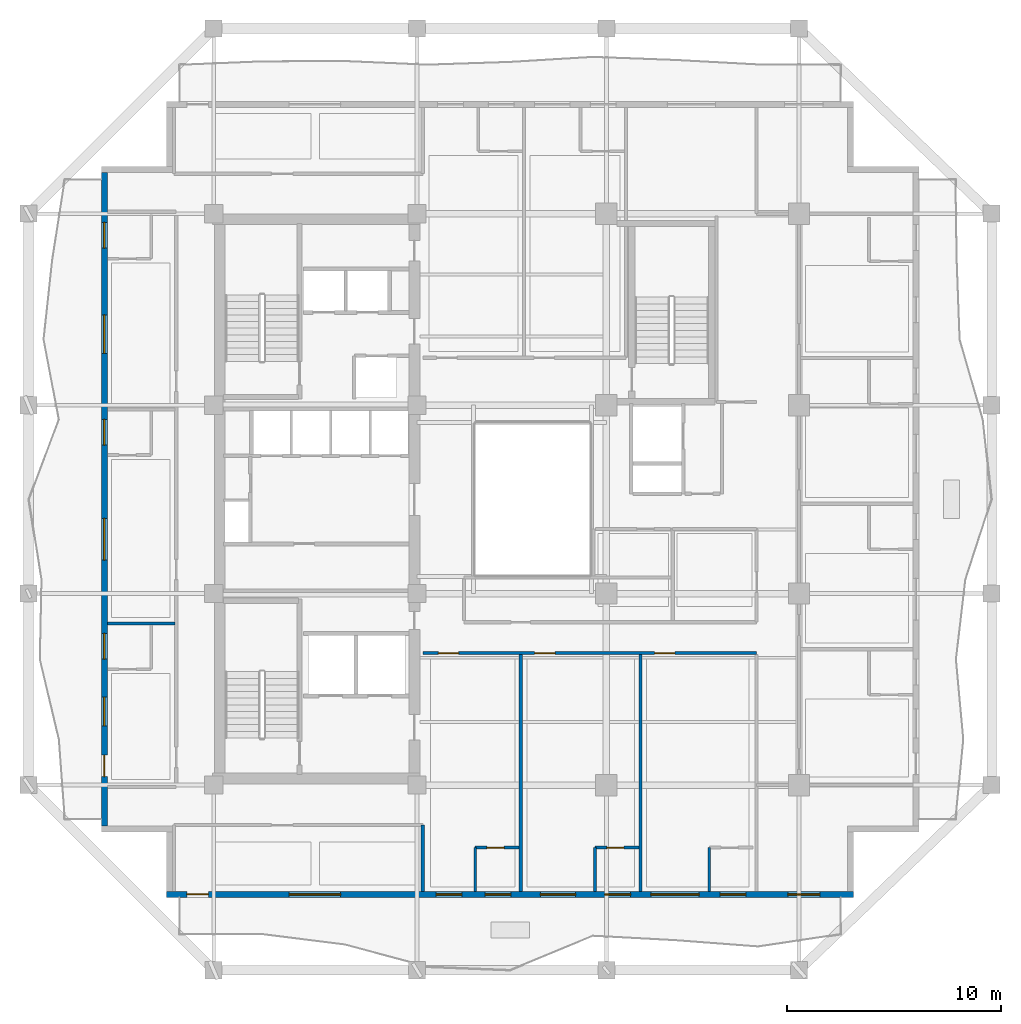
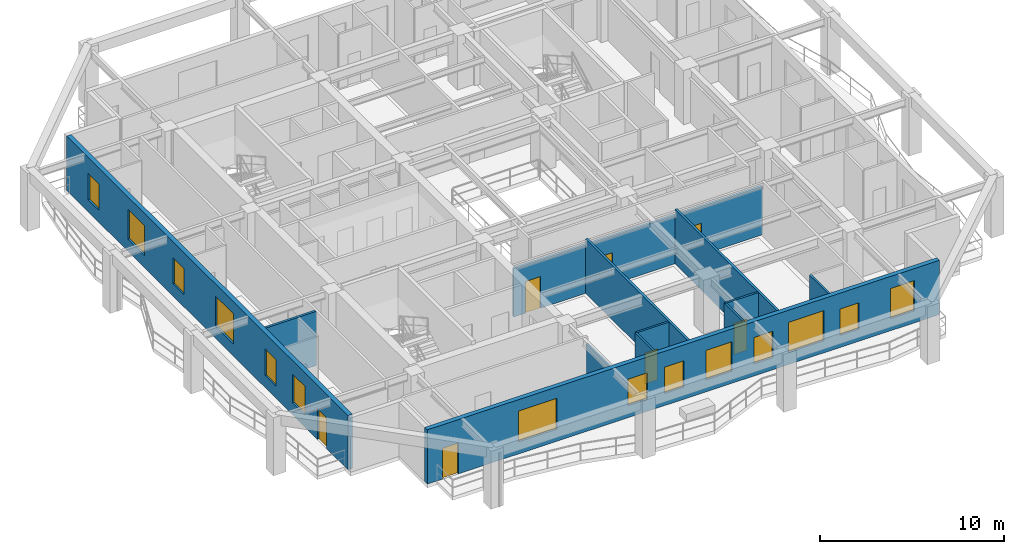
# One storey, part 3 of 11: 14 windows, 12 walls, 7 doors, 21 openings.
"""IFC4 building model written with IfcOpenShell, lengths in metres."""

from ifc_helpers import new_model, si_unit, direction, frame, frame_2d, origin, place, context, subcontext, project, spatial, rectangle, extrude, material, layer, layer_set, type_object, element, fill, save


model = new_model("IFC4")

# Units and contexts
model_context = context("Model", 3, precision=1e-05, world=origin(), true_north=direction((0.0, 1.0)))
body_context = subcontext(model_context, "Body", "Model", "MODEL_VIEW")
ifc_project = project(units=[si_unit("LENGTHUNIT", "METRE"), si_unit("AREAUNIT", "SQUARE_METRE"), si_unit("VOLUMEUNIT", "CUBIC_METRE"), si_unit("PLANEANGLEUNIT", "RADIAN"), si_unit("MASSUNIT", "GRAM", prefix="KILO")], contexts=[model_context])

# Site, building, storey
site_placement = place(None, origin())
site = spatial("IfcSite", under=ifc_project, at=site_placement, CompositionType="ELEMENT")
building_placement = place(site_placement, origin())
building = spatial("IfcBuilding", under=site, at=building_placement, Name="Kundavana Baori Tower", CompositionType="ELEMENT")
storey_placement = place(building_placement, frame((0.0, 0.0, 127.10009765625)))
storey = spatial("IfcBuildingStorey", under=building, at=storey_placement, Name="L30", CompositionType="ELEMENT", Elevation=127.10009765625)

# Wall, openings, door, windows
ifc_material_1 = material(Name="Red-Buff Dholpur Sandstone Cladding on Concrete C40/50", Category="masonry")
ifc_layer_1 = layer(ifc_material_1, 0.280029296875, Name="WL-EXT-SAND-280")
ifc_layer_set_1 = layer_set([ifc_layer_1], Name="Red-Buff Dholpur Sandstone Cladding on Concrete C40/50")
wall_type_1 = type_object("IfcWallType", Name="WL-EXT-SAND-280", PredefinedType="STANDARD", material=ifc_layer_set_1)
wall_1_placement = place(storey_placement, frame((13.25, 10.139892578125, 0.0), z_axis=(0.0, 0.0, 1.0), x_axis=(1.0, 0.0, 0.0)))
wall_1 = element("IfcWall", 1, at=wall_1_placement, inside=storey, type_object=wall_type_1, Name="L30 Exterior Insulated Facade Wall 01", PredefinedType="STANDARD", context=body_context, shape_type="SweptSolid", body=[
    extrude(rectangle(XDim=32.10009765625, YDim=0.280029296875, at=frame_2d((16.050048828125, 0.0))), origin(), (0.0, 0.0, 1.0), 3.599853515625),
])
opening_1_placement = place(wall_1_placement, frame((0.949951171875, 0.0, 0.0)))
opening_1 = element("IfcOpeningElement", 2, at=opening_1_placement, cuts=wall_1, Name="Opening BD-1", PredefinedType="OPENING", context=body_context, shape_type="SweptSolid", body=[
    extrude(rectangle(XDim=1.0, YDim=2.050048828125, at=frame_2d((0.5, 1.02490234375))), frame((0.0, 0.14990234375, 0.0), z_axis=(0.0, -1.0, 0.0), x_axis=(1.0, 0.0, 0.0)), (0.0, 0.0, 1.0), 0.300048828125),
])
opening_2_placement = place(wall_1_placement, frame((5.72998046875, 0.0, 0.800048828125)))
opening_2 = element("IfcOpeningElement", 3, at=opening_2_placement, cuts=wall_1, Name="Opening W-04", PredefinedType="OPENING", context=body_context, shape_type="SweptSolid", body=[
    extrude(rectangle(XDim=2.39990234375, YDim=2.050048828125, at=frame_2d((1.199951171875, 1.02490234375))), frame((0.0, 0.14990234375, 0.0), z_axis=(0.0, -1.0, 0.0), x_axis=(1.0, 0.0, 0.0)), (0.0, 0.0, 1.0), 0.300048828125),
])
opening_3_placement = place(wall_1_placement, frame((12.594970703125, 0.0, 0.800048828125)))
opening_3 = element("IfcOpeningElement", 4, at=opening_3_placement, cuts=wall_1, Name="Opening W-03", PredefinedType="OPENING", context=body_context, shape_type="SweptSolid", body=[
    extrude(rectangle(XDim=1.199951171875, YDim=1.75, at=frame_2d((0.60009765625, 0.875))), frame((0.0, 0.14990234375, 0.0), z_axis=(0.0, -1.0, 0.0), x_axis=(1.0, 0.0, 0.0)), (0.0, 0.0, 1.0), 0.300048828125),
])
opening_4_placement = place(wall_1_placement, frame((14.885009765625, 0.0, 0.800048828125)))
opening_4 = element("IfcOpeningElement", 5, at=opening_4_placement, cuts=wall_1, Name="Opening W-03", PredefinedType="OPENING", context=body_context, shape_type="SweptSolid", body=[
    extrude(rectangle(XDim=1.199951171875, YDim=1.75, at=frame_2d((0.60009765625, 0.875))), frame((0.0, 0.14990234375, 0.0), z_axis=(0.0, -1.0, 0.0), x_axis=(1.0, 0.0, 0.0)), (0.0, 0.0, 1.0), 0.300048828125),
])
opening_5_placement = place(wall_1_placement, frame((17.4599609375, 0.0, 0.800048828125)))
opening_5 = element("IfcOpeningElement", 6, at=opening_5_placement, cuts=wall_1, Name="Opening W-08", PredefinedType="OPENING", context=body_context, shape_type="SweptSolid", body=[
    extrude(rectangle(XDim=1.64990234375, YDim=1.949951171875, at=frame_2d((0.824951171875, 0.97509765625))), frame((0.0, 0.14990234375, 0.0), z_axis=(0.0, -1.0, 0.0), x_axis=(1.0, 0.0, 0.0)), (0.0, 0.0, 1.0), 0.300048828125),
])
opening_6_placement = place(wall_1_placement, frame((20.485107421875, 0.0, 0.800048828125)))
opening_6 = element("IfcOpeningElement", 7, at=opening_6_placement, cuts=wall_1, Name="Opening W-03", PredefinedType="OPENING", context=body_context, shape_type="SweptSolid", body=[
    extrude(rectangle(XDim=1.199951171875, YDim=1.75, at=frame_2d((0.60009765625, 0.875))), frame((0.0, 0.14990234375, 0.0), z_axis=(0.0, -1.0, 0.0), x_axis=(1.0, 0.0, 0.0)), (0.0, 0.0, 1.0), 0.300048828125),
])
opening_7_placement = place(wall_1_placement, frame((22.6298828125, 0.0, 0.800048828125)))
opening_7 = element("IfcOpeningElement", 8, at=opening_7_placement, cuts=wall_1, Name="Opening W-10", PredefinedType="OPENING", context=body_context, shape_type="SweptSolid", body=[
    extrude(rectangle(XDim=2.25, YDim=2.0, at=frame_2d((1.125, 1.0))), frame((0.0, 0.14990234375, 0.0), z_axis=(0.0, -1.0, 0.0), x_axis=(1.0, 0.0, 0.0)), (0.0, 0.0, 1.0), 0.300048828125),
])
opening_8_placement = place(wall_1_placement, frame((25.864990234375, 0.0, 0.800048828125)))
opening_8 = element("IfcOpeningElement", 9, at=opening_8_placement, cuts=wall_1, Name="Opening W-03", PredefinedType="OPENING", context=body_context, shape_type="SweptSolid", body=[
    extrude(rectangle(XDim=1.199951171875, YDim=1.75, at=frame_2d((0.60009765625, 0.875))), frame((0.0, 0.14990234375, 0.0), z_axis=(0.0, -1.0, 0.0), x_axis=(1.0, 0.0, 0.0)), (0.0, 0.0, 1.0), 0.300048828125),
])
opening_9_placement = place(wall_1_placement, frame((29.030029296875, 0.0, 0.800048828125)))
opening_9 = element("IfcOpeningElement", 10, at=opening_9_placement, cuts=wall_1, Name="Opening W-02", PredefinedType="OPENING", context=body_context, shape_type="SweptSolid", body=[
    extrude(rectangle(XDim=1.5, YDim=2.0, at=frame_2d((0.75, 1.0))), frame((0.0, 0.14990234375, 0.0), z_axis=(0.0, -1.0, 0.0), x_axis=(1.0, 0.0, 0.0)), (0.0, 0.0, 1.0), 0.300048828125),
])
ifc_material_2 = material(Name="Architectural Patinated Bronze Metalwork")
door_type_1 = type_object("IfcDoorType", Name="DR-EXT-LOG-1000", OperationType="NOTDEFINED", PredefinedType="DOOR", material=ifc_material_2)
door_1_placement = place(opening_1_placement, frame((1.0, 0.0, 0.0), z_axis=(0.0, 0.0, 1.0), x_axis=(-1.0, 0.0, 0.0)))
door_1 = element("IfcDoor", 11, at=door_1_placement, inside=storey, type_object=door_type_1, Name="L30 Loggia Balcony Access Door S", OperationType="SINGLE_SWING_LEFT", OverallHeight=2.050048828125, OverallWidth=1.0, PredefinedType="DOOR", context=body_context, shape_type="SweptSolid", body=[
    extrude(rectangle(XDim=1.0, YDim=2.050048828125, at=frame_2d((0.5, 1.02490234375))), frame((0.0, 0.02490234375, 0.0), z_axis=(0.0, -1.0, 0.0), x_axis=(1.0, 0.0, 0.0)), (0.0, 0.0, 1.0), 0.050048828125),
])
fill(opening_1, door_1)
ifc_material_3 = material(Name="Double-Glazed Solar-Control Low-E Insulated Glass", Category="glass")
window_type_1 = type_object("IfcWindowType", Name="WIN-LOG-1200x1750", PartitioningType="SINGLE_PANEL", PredefinedType="WINDOW", material=ifc_material_3)
window_1_placement = place(opening_3_placement, origin())
window_1 = element("IfcWindow", 12, at=window_1_placement, inside=storey, type_object=window_type_1, Name="L30 Recessed Loggia Window S-2", OverallHeight=1.75, OverallWidth=1.199951171875, PartitioningType="SINGLE_PANEL", PredefinedType="WINDOW", context=body_context, shape_type="SweptSolid", body=[
    extrude(rectangle(XDim=1.199951171875, YDim=1.75, at=frame_2d((0.60009765625, 0.875))), frame((0.0, 0.030029296875, 0.0), z_axis=(0.0, -1.0, 0.0), x_axis=(1.0, 0.0, 0.0)), (0.0, 0.0, 1.0), 0.06005859375),
])
fill(opening_3, window_1)
window_2_placement = place(opening_4_placement, origin())
window_2 = element("IfcWindow", 13, at=window_2_placement, inside=storey, type_object=window_type_1, Name="L30 Recessed Loggia Window S-3", OverallHeight=1.75, OverallWidth=1.199951171875, PartitioningType="SINGLE_PANEL", PredefinedType="WINDOW", context=body_context, shape_type="SweptSolid", body=[
    extrude(rectangle(XDim=1.199951171875, YDim=1.75, at=frame_2d((0.60009765625, 0.875))), frame((0.0, 0.030029296875, 0.0), z_axis=(0.0, -1.0, 0.0), x_axis=(1.0, 0.0, 0.0)), (0.0, 0.0, 1.0), 0.06005859375),
])
fill(opening_4, window_2)
window_3_placement = place(opening_6_placement, origin())
window_3 = element("IfcWindow", 14, at=window_3_placement, inside=storey, type_object=window_type_1, Name="L30 Recessed Loggia Window S-5", OverallHeight=1.75, OverallWidth=1.199951171875, PartitioningType="SINGLE_PANEL", PredefinedType="WINDOW", context=body_context, shape_type="SweptSolid", body=[
    extrude(rectangle(XDim=1.199951171875, YDim=1.75, at=frame_2d((0.60009765625, 0.875))), frame((0.0, 0.030029296875, 0.0), z_axis=(0.0, -1.0, 0.0), x_axis=(1.0, 0.0, 0.0)), (0.0, 0.0, 1.0), 0.06005859375),
])
fill(opening_6, window_3)
window_4_placement = place(opening_8_placement, origin())
window_4 = element("IfcWindow", 15, at=window_4_placement, inside=storey, type_object=window_type_1, Name="L30 Recessed Loggia Window S-7", OverallHeight=1.75, OverallWidth=1.199951171875, PartitioningType="SINGLE_PANEL", PredefinedType="WINDOW", context=body_context, shape_type="SweptSolid", body=[
    extrude(rectangle(XDim=1.199951171875, YDim=1.75, at=frame_2d((0.60009765625, 0.875))), frame((0.0, 0.030029296875, 0.0), z_axis=(0.0, -1.0, 0.0), x_axis=(1.0, 0.0, 0.0)), (0.0, 0.0, 1.0), 0.06005859375),
])
fill(opening_8, window_4)
ifc_material_4 = material(Name="Double-Glazed Solar-Control Low-E Insulated Glass", Category="glass")
window_type_2 = type_object("IfcWindowType", Name="WIN-LOG-1500x2000", PartitioningType="SINGLE_PANEL", PredefinedType="WINDOW", material=ifc_material_4)
window_5_placement = place(opening_9_placement, origin())
window_5 = element("IfcWindow", 16, at=window_5_placement, inside=storey, type_object=window_type_2, Name="L30 Recessed Loggia Window S-8", OverallHeight=2.0, OverallWidth=1.5, PartitioningType="SINGLE_PANEL", PredefinedType="WINDOW", context=body_context, shape_type="SweptSolid", body=[
    extrude(rectangle(XDim=1.5, YDim=2.0, at=frame_2d((0.75, 1.0))), frame((0.0, 0.030029296875, 0.0), z_axis=(0.0, -1.0, 0.0), x_axis=(1.0, 0.0, 0.0)), (0.0, 0.0, 1.0), 0.06005859375),
])
fill(opening_9, window_5)
ifc_material_5 = material(Name="Double-Glazed Solar-Control Low-E Insulated Glass", Category="glass")
window_type_3 = type_object("IfcWindowType", Name="WIN-LOG-1650x1950", PartitioningType="SINGLE_PANEL", PredefinedType="WINDOW", material=ifc_material_5)
window_6_placement = place(opening_5_placement, origin())
window_6 = element("IfcWindow", 17, at=window_6_placement, inside=storey, type_object=window_type_3, Name="L30 Recessed Loggia Window S-4", OverallHeight=1.949951171875, OverallWidth=1.64990234375, PartitioningType="SINGLE_PANEL", PredefinedType="WINDOW", context=body_context, shape_type="SweptSolid", body=[
    extrude(rectangle(XDim=1.64990234375, YDim=1.949951171875, at=frame_2d((0.824951171875, 0.97509765625))), frame((0.0, 0.030029296875, 0.0), z_axis=(0.0, -1.0, 0.0), x_axis=(1.0, 0.0, 0.0)), (0.0, 0.0, 1.0), 0.06005859375),
])
fill(opening_5, window_6)
ifc_material_6 = material(Name="Double-Glazed Solar-Control Low-E Insulated Glass", Category="glass")
window_type_4 = type_object("IfcWindowType", Name="WIN-LOG-2250x2000", PartitioningType="SINGLE_PANEL", PredefinedType="WINDOW", material=ifc_material_6)
window_7_placement = place(opening_7_placement, origin())
window_7 = element("IfcWindow", 18, at=window_7_placement, inside=storey, type_object=window_type_4, Name="L30 Recessed Loggia Window S-6", OverallHeight=2.0, OverallWidth=2.25, PartitioningType="SINGLE_PANEL", PredefinedType="WINDOW", context=body_context, shape_type="SweptSolid", body=[
    extrude(rectangle(XDim=2.25, YDim=2.0, at=frame_2d((1.125, 1.0))), frame((0.0, 0.030029296875, 0.0), z_axis=(0.0, -1.0, 0.0), x_axis=(1.0, 0.0, 0.0)), (0.0, 0.0, 1.0), 0.06005859375),
])
fill(opening_7, window_7)
ifc_material_7 = material(Name="Double-Glazed Solar-Control Low-E Insulated Glass", Category="glass")
window_type_5 = type_object("IfcWindowType", Name="WIN-LOG-2400x2050", PartitioningType="SINGLE_PANEL", PredefinedType="WINDOW", material=ifc_material_7)
window_8_placement = place(opening_2_placement, origin())
window_8 = element("IfcWindow", 19, at=window_8_placement, inside=storey, type_object=window_type_5, Name="L30 Recessed Loggia Window S-1", OverallHeight=2.050048828125, OverallWidth=2.39990234375, PartitioningType="SINGLE_PANEL", PredefinedType="WINDOW", context=body_context, shape_type="SweptSolid", body=[
    extrude(rectangle(XDim=2.39990234375, YDim=2.050048828125, at=frame_2d((1.199951171875, 1.02490234375))), frame((0.0, 0.030029296875, 0.0), z_axis=(0.0, -1.0, 0.0), x_axis=(1.0, 0.0, 0.0)), (0.0, 0.0, 1.0), 0.06005859375),
])
fill(opening_2, window_8)

wall_2_placement = place(storey_placement, frame((10.340087890625, 43.8701171875, 0.0), z_axis=(0.0, 0.0, 1.0), x_axis=(0.0, -1.0, 0.0)))
wall_2 = element("IfcWall", 20, at=wall_2_placement, inside=storey, type_object=wall_type_1, Name="L30 Exterior Insulated Facade Wall 10", PredefinedType="STANDARD", context=body_context, shape_type="SweptSolid", body=[
    extrude(rectangle(XDim=30.5400390625, YDim=0.280029296875, at=frame_2d((15.27001953125, 0.0))), origin(), (0.0, 0.0, 1.0), 3.599853515625),
])
opening_10_placement = place(wall_2_placement, frame((27.219970703125, 0.0, 0.0)))
opening_10 = element("IfcOpeningElement", 21, at=opening_10_placement, cuts=wall_2, Name="Opening BD-1", PredefinedType="OPENING", context=body_context, shape_type="SweptSolid", body=[
    extrude(rectangle(XDim=1.0, YDim=2.050048828125, at=frame_2d((0.5, 1.02490234375))), frame((0.0, 0.14990234375, 0.0), z_axis=(0.0, -1.0, 0.0), x_axis=(1.0, 0.0, 0.0)), (0.0, 0.0, 1.0), 0.300048828125),
])
opening_11_placement = place(wall_2_placement, frame((24.5048828125, 0.0, 0.800048828125)))
opening_11 = element("IfcOpeningElement", 22, at=opening_11_placement, cuts=wall_2, Name="Opening W-07", PredefinedType="OPENING", context=body_context, shape_type="SweptSolid", body=[
    extrude(rectangle(XDim=1.35009765625, YDim=1.89990234375, at=frame_2d((0.675048828125, 0.949951171875))), frame((0.0, 0.14990234375, 0.0), z_axis=(0.0, -1.0, 0.0), x_axis=(1.0, 0.0, 0.0)), (0.0, 0.0, 1.0), 0.300048828125),
])
opening_12_placement = place(wall_2_placement, frame((21.534912109375, 0.0, 0.800048828125)))
opening_12 = element("IfcOpeningElement", 23, at=opening_12_placement, cuts=wall_2, Name="Opening W-03", PredefinedType="OPENING", context=body_context, shape_type="SweptSolid", body=[
    extrude(rectangle(XDim=1.199951171875, YDim=1.75, at=frame_2d((0.60009765625, 0.875))), frame((0.0, 0.14990234375, 0.0), z_axis=(0.0, -1.0, 0.0), x_axis=(1.0, 0.0, 0.0)), (0.0, 0.0, 1.0), 0.300048828125),
])
opening_13_placement = place(wall_2_placement, frame((16.159912109375, 0.0, 0.800048828125)))
opening_13 = element("IfcOpeningElement", 24, at=opening_13_placement, cuts=wall_2, Name="Opening W-09", PredefinedType="OPENING", context=body_context, shape_type="SweptSolid", body=[
    extrude(rectangle(XDim=1.949951171875, YDim=2.0, at=frame_2d((0.97509765625, 1.0))), frame((0.0, 0.14990234375, 0.0), z_axis=(0.0, -1.0, 0.0), x_axis=(1.0, 0.0, 0.0)), (0.0, 0.0, 1.0), 0.300048828125),
])
opening_14_placement = place(wall_2_placement, frame((11.534912109375, 0.0, 0.800048828125)))
opening_14 = element("IfcOpeningElement", 25, at=opening_14_placement, cuts=wall_2, Name="Opening W-03", PredefinedType="OPENING", context=body_context, shape_type="SweptSolid", body=[
    extrude(rectangle(XDim=1.199951171875, YDim=1.75, at=frame_2d((0.60009765625, 0.875))), frame((0.0, 0.14990234375, 0.0), z_axis=(0.0, -1.0, 0.0), x_axis=(1.0, 0.0, 0.0)), (0.0, 0.0, 1.0), 0.300048828125),
])
opening_15_placement = place(wall_2_placement, frame((6.64501953125, 0.0, 0.800048828125)))
opening_15 = element("IfcOpeningElement", 26, at=opening_15_placement, cuts=wall_2, Name="Opening W-01", PredefinedType="OPENING", context=body_context, shape_type="SweptSolid", body=[
    extrude(rectangle(XDim=1.800048828125, YDim=2.0, at=frame_2d((0.89990234375, 1.0))), frame((0.0, 0.14990234375, 0.0), z_axis=(0.0, -1.0, 0.0), x_axis=(1.0, 0.0, 0.0)), (0.0, 0.0, 1.0), 0.300048828125),
])
opening_16_placement = place(wall_2_placement, frame((2.324951171875, 0.0, 0.800048828125)))
opening_16 = element("IfcOpeningElement", 27, at=opening_16_placement, cuts=wall_2, Name="Opening W-03", PredefinedType="OPENING", context=body_context, shape_type="SweptSolid", body=[
    extrude(rectangle(XDim=1.199951171875, YDim=1.75, at=frame_2d((0.60009765625, 0.875))), frame((0.0, 0.14990234375, 0.0), z_axis=(0.0, -1.0, 0.0), x_axis=(1.0, 0.0, 0.0)), (0.0, 0.0, 1.0), 0.300048828125),
])
door_2_placement = place(opening_10_placement, frame((1.0, 0.0, 0.0), z_axis=(0.0, 0.0, 1.0), x_axis=(-1.0, 0.0, 0.0)))
door_2 = element("IfcDoor", 28, at=door_2_placement, inside=storey, type_object=door_type_1, Name="L30 Loggia Balcony Access Door W", OperationType="SINGLE_SWING_RIGHT", OverallHeight=2.050048828125, OverallWidth=1.0, PredefinedType="DOOR", context=body_context, shape_type="SweptSolid", body=[
    extrude(rectangle(XDim=1.0, YDim=2.050048828125, at=frame_2d((0.5, 1.02490234375))), frame((0.0, 0.02490234375, 0.0), z_axis=(0.0, -1.0, 0.0), x_axis=(1.0, 0.0, 0.0)), (0.0, 0.0, 1.0), 0.050048828125),
])
fill(opening_10, door_2)
window_9_placement = place(opening_12_placement, origin())
window_9 = element("IfcWindow", 29, at=window_9_placement, inside=storey, type_object=window_type_1, Name="L30 Recessed Loggia Window W-2", OverallHeight=1.75, OverallWidth=1.199951171875, PartitioningType="SINGLE_PANEL", PredefinedType="WINDOW", context=body_context, shape_type="SweptSolid", body=[
    extrude(rectangle(XDim=1.199951171875, YDim=1.75, at=frame_2d((0.60009765625, 0.875))), frame((0.0, 0.030029296875, 0.0), z_axis=(0.0, -1.0, 0.0), x_axis=(1.0, 0.0, 0.0)), (0.0, 0.0, 1.0), 0.06005859375),
])
fill(opening_12, window_9)
window_10_placement = place(opening_14_placement, origin())
window_10 = element("IfcWindow", 30, at=window_10_placement, inside=storey, type_object=window_type_1, Name="L30 Recessed Loggia Window W-4", OverallHeight=1.75, OverallWidth=1.199951171875, PartitioningType="SINGLE_PANEL", PredefinedType="WINDOW", context=body_context, shape_type="SweptSolid", body=[
    extrude(rectangle(XDim=1.199951171875, YDim=1.75, at=frame_2d((0.60009765625, 0.875))), frame((0.0, 0.030029296875, 0.0), z_axis=(0.0, -1.0, 0.0), x_axis=(1.0, 0.0, 0.0)), (0.0, 0.0, 1.0), 0.06005859375),
])
fill(opening_14, window_10)
window_11_placement = place(opening_16_placement, origin())
window_11 = element("IfcWindow", 31, at=window_11_placement, inside=storey, type_object=window_type_1, Name="L30 Recessed Loggia Window W-6", OverallHeight=1.75, OverallWidth=1.199951171875, PartitioningType="SINGLE_PANEL", PredefinedType="WINDOW", context=body_context, shape_type="SweptSolid", body=[
    extrude(rectangle(XDim=1.199951171875, YDim=1.75, at=frame_2d((0.60009765625, 0.875))), frame((0.0, 0.030029296875, 0.0), z_axis=(0.0, -1.0, 0.0), x_axis=(1.0, 0.0, 0.0)), (0.0, 0.0, 1.0), 0.06005859375),
])
fill(opening_16, window_11)
ifc_material_8 = material(Name="Double-Glazed Solar-Control Low-E Insulated Glass", Category="glass")
window_type_6 = type_object("IfcWindowType", Name="WIN-LOG-1350x1900", PartitioningType="SINGLE_PANEL", PredefinedType="WINDOW", material=ifc_material_8)
window_12_placement = place(opening_11_placement, origin())
window_12 = element("IfcWindow", 32, at=window_12_placement, inside=storey, type_object=window_type_6, Name="L30 Recessed Loggia Window W-1", OverallHeight=1.89990234375, OverallWidth=1.35009765625, PartitioningType="SINGLE_PANEL", PredefinedType="WINDOW", context=body_context, shape_type="SweptSolid", body=[
    extrude(rectangle(XDim=1.35009765625, YDim=1.89990234375, at=frame_2d((0.675048828125, 0.949951171875))), frame((0.0, 0.030029296875, 0.0), z_axis=(0.0, -1.0, 0.0), x_axis=(1.0, 0.0, 0.0)), (0.0, 0.0, 1.0), 0.06005859375),
])
fill(opening_11, window_12)
ifc_material_9 = material(Name="Double-Glazed Solar-Control Low-E Insulated Glass", Category="glass")
window_type_7 = type_object("IfcWindowType", Name="WIN-LOG-1800x2000", PartitioningType="SINGLE_PANEL", PredefinedType="WINDOW", material=ifc_material_9)
window_13_placement = place(opening_15_placement, origin())
window_13 = element("IfcWindow", 33, at=window_13_placement, inside=storey, type_object=window_type_7, Name="L30 Recessed Loggia Window W-5", OverallHeight=2.0, OverallWidth=1.800048828125, PartitioningType="SINGLE_PANEL", PredefinedType="WINDOW", context=body_context, shape_type="SweptSolid", body=[
    extrude(rectangle(XDim=1.800048828125, YDim=2.0, at=frame_2d((0.89990234375, 1.0))), frame((0.0, 0.030029296875, 0.0), z_axis=(0.0, -1.0, 0.0), x_axis=(1.0, 0.0, 0.0)), (0.0, 0.0, 1.0), 0.06005859375),
])
fill(opening_15, window_13)
ifc_material_10 = material(Name="Double-Glazed Solar-Control Low-E Insulated Glass", Category="glass")
window_type_8 = type_object("IfcWindowType", Name="WIN-LOG-1950x2000", PartitioningType="SINGLE_PANEL", PredefinedType="WINDOW", material=ifc_material_10)
window_14_placement = place(opening_13_placement, origin())
window_14 = element("IfcWindow", 34, at=window_14_placement, inside=storey, type_object=window_type_8, Name="L30 Recessed Loggia Window W-3", OverallHeight=2.0, OverallWidth=1.949951171875, PartitioningType="SINGLE_PANEL", PredefinedType="WINDOW", context=body_context, shape_type="SweptSolid", body=[
    extrude(rectangle(XDim=1.949951171875, YDim=2.0, at=frame_2d((0.97509765625, 1.0))), frame((0.0, 0.030029296875, 0.0), z_axis=(0.0, -1.0, 0.0), x_axis=(1.0, 0.0, 0.0)), (0.0, 0.0, 1.0), 0.06005859375),
])
fill(opening_13, window_14)

# Wall, openings, doors
ifc_material_11 = material(Name="Fire-Rated Gypsum Drywall on Galvanised Steel Studs", Category="steel")
ifc_layer_2 = layer(ifc_material_11, 0.14990234375, Name="WL-PART-150")
ifc_layer_set_2 = layer_set([ifc_layer_2], Name="Fire-Rated Gypsum Drywall on Galvanised Steel Studs")
wall_type_2 = type_object("IfcWallType", Name="WL-PART-150", PredefinedType="PARTITIONING", material=ifc_layer_set_2)
wall_3_placement = place(storey_placement, frame((25.219970703125, 21.419921875, 0.0), z_axis=(0.0, 0.0, 1.0), x_axis=(1.0, 0.0, 0.0)))
wall_3 = element("IfcWall", 35, at=wall_3_placement, inside=storey, type_object=wall_type_2, Name="WL-L30-HS", PredefinedType="PARTITIONING", context=body_context, shape_type="SweptSolid", body=[
    extrude(rectangle(XDim=15.60009765625, YDim=0.14990234375, at=frame_2d((7.800048828125, 0.0))), origin(), (0.0, 0.0, 1.0), 3.199951171875),
])
opening_17_placement = place(wall_3_placement, frame((0.72998046875, 0.0, 0.0)))
opening_17 = element("IfcOpeningElement", 36, at=opening_17_placement, cuts=wall_3, Name="Opening FD-095", PredefinedType="OPENING", context=body_context, shape_type="SweptSolid", body=[
    extrude(rectangle(XDim=0.949951171875, YDim=2.10009765625, at=frame_2d((0.47509765625, 1.050048828125))), frame((0.0, 0.0849609375, 0.0), z_axis=(0.0, -1.0, 0.0), x_axis=(1.0, 0.0, 0.0)), (0.0, 0.0, 1.0), 0.169921875),
])
opening_18_placement = place(wall_3_placement, frame((5.22998046875, 0.0, 0.0)))
opening_18 = element("IfcOpeningElement", 37, at=opening_18_placement, cuts=wall_3, Name="Opening FD-095", PredefinedType="OPENING", context=body_context, shape_type="SweptSolid", body=[
    extrude(rectangle(XDim=0.949951171875, YDim=2.10009765625, at=frame_2d((0.47509765625, 1.050048828125))), frame((0.0, 0.0849609375, 0.0), z_axis=(0.0, -1.0, 0.0), x_axis=(1.0, 0.0, 0.0)), (0.0, 0.0, 1.0), 0.169921875),
])
opening_19_placement = place(wall_3_placement, frame((10.830078125, 0.0, 0.0)))
opening_19 = element("IfcOpeningElement", 38, at=opening_19_placement, cuts=wall_3, Name="Opening FD-095", PredefinedType="OPENING", context=body_context, shape_type="SweptSolid", body=[
    extrude(rectangle(XDim=0.949951171875, YDim=2.10009765625, at=frame_2d((0.47509765625, 1.050048828125))), frame((0.0, 0.0849609375, 0.0), z_axis=(0.0, -1.0, 0.0), x_axis=(1.0, 0.0, 0.0)), (0.0, 0.0, 1.0), 0.169921875),
])
ifc_material_12 = material(Name="Engineered Teak Fire-Rated Timber Door Leaf", Category="wood")
door_type_2 = type_object("IfcDoorType", Name="DR-FD60-950", OperationType="NOTDEFINED", PredefinedType="DOOR", material=ifc_material_12)
door_3_placement = place(opening_17_placement, frame((0.949951171875, 0.0, 0.0), z_axis=(0.0, 0.0, 1.0), x_axis=(-1.0, 0.0, 0.0)))
door_3 = element("IfcDoor", 39, at=door_3_placement, inside=storey, type_object=door_type_2, Name="DR-L30-HK-S1-ENT", OperationType="SINGLE_SWING_RIGHT", OverallHeight=2.10009765625, OverallWidth=0.949951171875, PredefinedType="DOOR", context=body_context, shape_type="SweptSolid", body=[
    extrude(rectangle(XDim=0.949951171875, YDim=2.10009765625, at=frame_2d((0.47509765625, 1.050048828125))), frame((0.0, 0.02490234375, 0.0), z_axis=(0.0, -1.0, 0.0), x_axis=(1.0, 0.0, 0.0)), (0.0, 0.0, 1.0), 0.050048828125),
])
fill(opening_17, door_3)
door_4_placement = place(opening_18_placement, frame((0.949951171875, 0.0, 0.0), z_axis=(0.0, 0.0, 1.0), x_axis=(-1.0, 0.0, 0.0)))
door_4 = element("IfcDoor", 40, at=door_4_placement, inside=storey, type_object=door_type_2, Name="DR-L30-HK-S2-ENT", OperationType="SINGLE_SWING_RIGHT", OverallHeight=2.10009765625, OverallWidth=0.949951171875, PredefinedType="DOOR", context=body_context, shape_type="SweptSolid", body=[
    extrude(rectangle(XDim=0.949951171875, YDim=2.10009765625, at=frame_2d((0.47509765625, 1.050048828125))), frame((0.0, 0.02490234375, 0.0), z_axis=(0.0, -1.0, 0.0), x_axis=(1.0, 0.0, 0.0)), (0.0, 0.0, 1.0), 0.050048828125),
])
fill(opening_18, door_4)
door_5_placement = place(opening_19_placement, frame((0.949951171875, 0.0, 0.0), z_axis=(0.0, 0.0, 1.0), x_axis=(-1.0, 0.0, 0.0)))
door_5 = element("IfcDoor", 41, at=door_5_placement, inside=storey, type_object=door_type_2, Name="DR-L30-HK-S3-ENT", OperationType="SINGLE_SWING_RIGHT", OverallHeight=2.10009765625, OverallWidth=0.949951171875, PredefinedType="DOOR", context=body_context, shape_type="SweptSolid", body=[
    extrude(rectangle(XDim=0.949951171875, YDim=2.10009765625, at=frame_2d((0.47509765625, 1.050048828125))), frame((0.0, 0.02490234375, 0.0), z_axis=(0.0, -1.0, 0.0), x_axis=(1.0, 0.0, 0.0)), (0.0, 0.0, 1.0), 0.050048828125),
])
fill(opening_19, door_5)

# Walls
wall_4_placement = place(storey_placement, frame((25.219970703125, 10.280029296875, 0.0), z_axis=(0.0, 0.0, 1.0), x_axis=(0.0, 1.0, 0.0)))
element("IfcWall", 42, at=wall_4_placement, inside=storey, type_object=wall_type_2, Name="WL-L30-HSCE", PredefinedType="PARTITIONING", context=body_context, shape_type="SweptSolid", body=[
    extrude(rectangle(XDim=3.099853515625, YDim=0.14990234375, at=frame_2d((1.5498046875, 0.0))), origin(), (0.0, 0.0, 1.0), 3.099853515625),
])
wall_5_placement = place(storey_placement, frame((10.47998046875, 22.800048828125, 0.0), z_axis=(0.0, 0.0, 1.0), x_axis=(1.0, 0.0, 0.0)))
element("IfcWall", 43, at=wall_5_placement, inside=storey, type_object=wall_type_2, Name="WL-L30-HWD1", PredefinedType="PARTITIONING", context=body_context, shape_type="SweptSolid", body=[
    extrude(rectangle(XDim=3.159912109375, YDim=0.14990234375, at=frame_2d((1.580078125, 0.0))), origin(), (0.0, 0.0, 1.0), 3.599853515625),
])
for number, where, z_axis, x_axis, name in (
    (44, (29.800048828125, 10.280029296875, 0.0), (0.0, 0.0, 1.0), (0.0, 1.0, 0.0), "WL-L30-HSD1"),
    (45, (35.39990234375, 10.280029296875, 0.0), (0.0, 0.0, 1.0), (0.0, 1.0, 0.0), "WL-L30-HSD2"),
):
    element("IfcWall", number, at=place(storey_placement, frame(where, z_axis=z_axis, x_axis=x_axis)), inside=storey, type_object=wall_type_2, Name=name, PredefinedType="PARTITIONING", context=body_context, shape_type="SweptSolid", body=[
        extrude(rectangle(XDim=11.080078125, YDim=0.14990234375, at=frame_2d((5.5400390625, 0.0))), origin(), (0.0, 0.0, 1.0), 3.599853515625),
    ])
ifc_material_13 = material(Name="Autoclaved Aerated Concrete Blockwork Masonry", Category="masonry")
ifc_layer_3 = layer(ifc_material_13, 0.125, Name="WL-WET-120")
ifc_layer_set_3 = layer_set([ifc_layer_3], Name="Autoclaved Aerated Concrete Blockwork Masonry")
wall_type_3 = type_object("IfcWallType", Name="WL-WET-120", PredefinedType="PLUMBINGWALL", material=ifc_layer_set_3)
wall_6_placement = place(storey_placement, frame((27.669921875, 10.280029296875, 0.0), z_axis=(0.0, 0.0, 1.0), x_axis=(0.0, 1.0, 0.0)))
element("IfcWall", 46, at=wall_6_placement, inside=storey, type_object=wall_type_3, Name="WL-L30-HK-S1-BW", PredefinedType="PLUMBINGWALL", context=body_context, shape_type="SweptSolid", body=[
    extrude(rectangle(XDim=2.050048828125, YDim=0.125, at=frame_2d((1.02490234375, 0.0))), origin(), (0.0, 0.0, 1.0), 3.599853515625),
])

# Wall, opening, door
wall_7_placement = place(storey_placement, frame((27.669921875, 12.330078125, 0.0), z_axis=(0.0, 0.0, 1.0), x_axis=(1.0, 0.0, 0.0)))
wall_7 = element("IfcWall", 47, at=wall_7_placement, inside=storey, type_object=wall_type_3, Name="WL-L30-HK-S1-BN", PredefinedType="PLUMBINGWALL", context=body_context, shape_type="SweptSolid", body=[
    extrude(rectangle(XDim=2.050048828125, YDim=0.125, at=frame_2d((1.02490234375, 0.0))), origin(), (0.0, 0.0, 1.0), 3.599853515625),
])
opening_20_placement = place(wall_7_placement, frame((0.550048828125, 0.0, 0.0)))
opening_20 = element("IfcOpeningElement", 48, at=opening_20_placement, cuts=wall_7, Name="Opening WD-080", PredefinedType="OPENING", context=body_context, shape_type="SweptSolid", body=[
    extrude(rectangle(XDim=0.800048828125, YDim=2.050048828125, at=frame_2d((0.39990234375, 1.02490234375))), frame((0.0, 0.072509765625, 0.0), z_axis=(0.0, -1.0, 0.0), x_axis=(1.0, 0.0, 0.0)), (0.0, 0.0, 1.0), 0.14501953125),
])
ifc_material_14 = material(Name="Engineered Teak Solid-Core Timber Veneer", Category="wood")
door_type_3 = type_object("IfcDoorType", Name="DR-WET-800", OperationType="NOTDEFINED", PredefinedType="DOOR", material=ifc_material_14)
door_6_placement = place(opening_20_placement, origin())
door_6 = element("IfcDoor", 49, at=door_6_placement, inside=storey, type_object=door_type_3, Name="DR-L30-HK-S1-ENS", OperationType="SINGLE_SWING_LEFT", OverallHeight=2.050048828125, OverallWidth=0.800048828125, PredefinedType="DOOR", context=body_context, shape_type="SweptSolid", body=[
    extrude(rectangle(XDim=0.800048828125, YDim=2.050048828125, at=frame_2d((0.39990234375, 1.02490234375))), frame((0.0, 0.02490234375, 0.0), z_axis=(0.0, -1.0, 0.0), x_axis=(1.0, 0.0, 0.0)), (0.0, 0.0, 1.0), 0.050048828125),
])
fill(opening_20, door_6)

# Wall
wall_8_placement = place(storey_placement, frame((33.27001953125, 10.280029296875, 0.0), z_axis=(0.0, 0.0, 1.0), x_axis=(0.0, 1.0, 0.0)))
element("IfcWall", 50, at=wall_8_placement, inside=storey, type_object=wall_type_3, Name="WL-L30-HK-S2-BW", PredefinedType="PLUMBINGWALL", context=body_context, shape_type="SweptSolid", body=[
    extrude(rectangle(XDim=2.050048828125, YDim=0.125, at=frame_2d((1.02490234375, 0.0))), origin(), (0.0, 0.0, 1.0), 3.599853515625),
])

# Wall, opening, door
wall_9_placement = place(storey_placement, frame((33.27001953125, 12.330078125, 0.0), z_axis=(0.0, 0.0, 1.0), x_axis=(1.0, 0.0, 0.0)))
wall_9 = element("IfcWall", 51, at=wall_9_placement, inside=storey, type_object=wall_type_3, Name="WL-L30-HK-S2-BN", PredefinedType="PLUMBINGWALL", context=body_context, shape_type="SweptSolid", body=[
    extrude(rectangle(XDim=2.050048828125, YDim=0.125, at=frame_2d((1.02490234375, 0.0))), origin(), (0.0, 0.0, 1.0), 3.599853515625),
])
opening_21_placement = place(wall_9_placement, frame((0.550048828125, 0.0, 0.0)))
opening_21 = element("IfcOpeningElement", 52, at=opening_21_placement, cuts=wall_9, Name="Opening WD-080", PredefinedType="OPENING", context=body_context, shape_type="SweptSolid", body=[
    extrude(rectangle(XDim=0.800048828125, YDim=2.050048828125, at=frame_2d((0.39990234375, 1.02490234375))), frame((0.0, 0.072509765625, 0.0), z_axis=(0.0, -1.0, 0.0), x_axis=(1.0, 0.0, 0.0)), (0.0, 0.0, 1.0), 0.14501953125),
])
door_7_placement = place(opening_21_placement, origin())
door_7 = element("IfcDoor", 53, at=door_7_placement, inside=storey, type_object=door_type_3, Name="DR-L30-HK-S2-ENS", OperationType="SINGLE_SWING_LEFT", OverallHeight=2.050048828125, OverallWidth=0.800048828125, PredefinedType="DOOR", context=body_context, shape_type="SweptSolid", body=[
    extrude(rectangle(XDim=0.800048828125, YDim=2.050048828125, at=frame_2d((0.39990234375, 1.02490234375))), frame((0.0, 0.02490234375, 0.0), z_axis=(0.0, -1.0, 0.0), x_axis=(1.0, 0.0, 0.0)), (0.0, 0.0, 1.0), 0.050048828125),
])
fill(opening_21, door_7)

# Wall
wall_10_placement = place(storey_placement, frame((38.610107421875, 10.280029296875, 0.0), z_axis=(0.0, 0.0, 1.0), x_axis=(0.0, 1.0, 0.0)))
element("IfcWall", 54, at=wall_10_placement, inside=storey, type_object=wall_type_3, Name="WL-L30-HK-S3-BW", PredefinedType="PLUMBINGWALL", context=body_context, shape_type="SweptSolid", body=[
    extrude(rectangle(XDim=2.050048828125, YDim=0.125, at=frame_2d((1.02490234375, 0.0))), origin(), (0.0, 0.0, 1.0), 3.599853515625),
])

save(model, "model.ifc")
